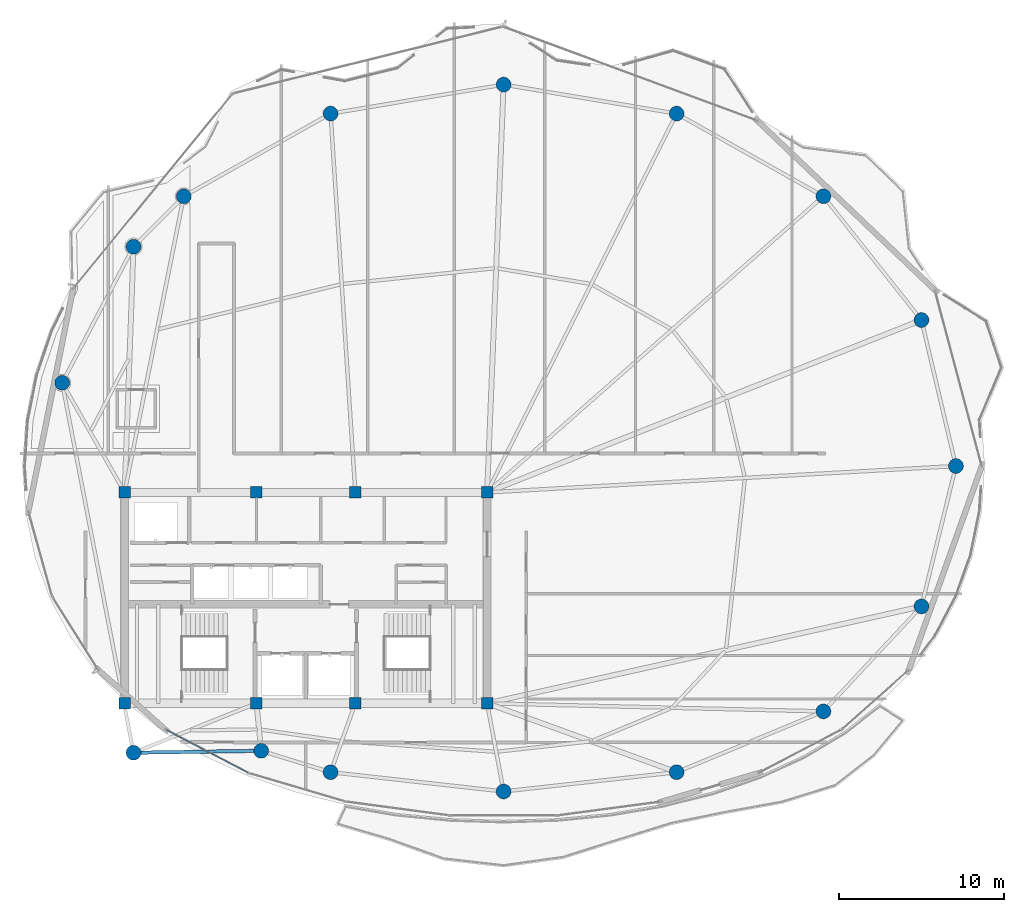
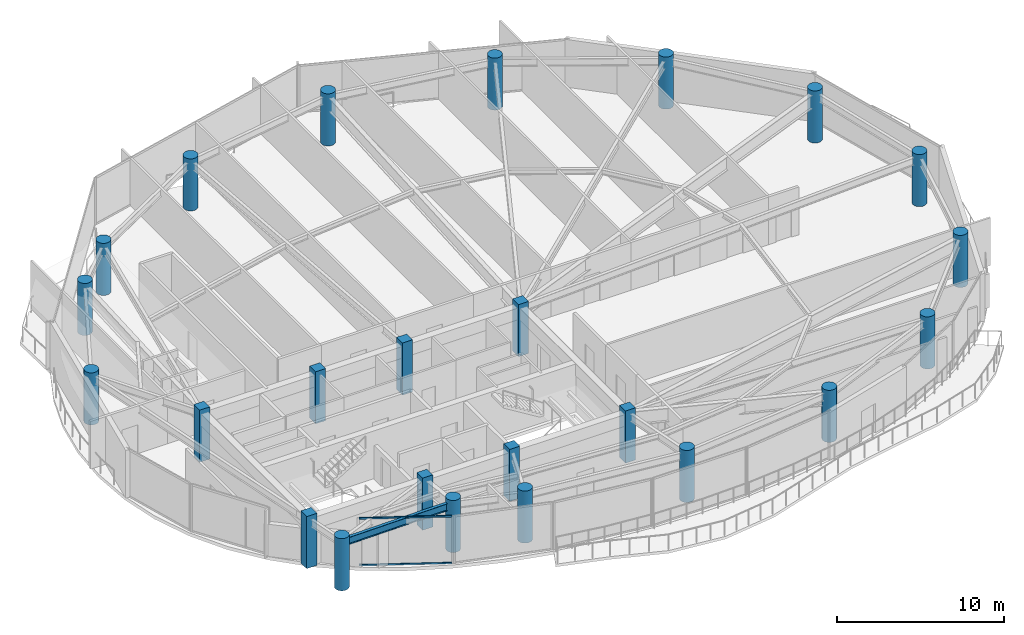
# One storey, part 1 of 29: 24 columns, 2 members, 1 beam, 1 element without a shape of its own.
"""IFC4 building model written with IfcOpenShell, lengths in metres."""

from ifc_helpers import new_model, si_unit, direction, frame, origin, origin_2d, place, context, subcontext, project, spatial, rectangle, hollow_rectangle, circle, i_section, extrude, material, layer, layer_set, material_profile, profile_set, type_object, element, aggregate, save


model = new_model("IFC4")

# Units and contexts
model_context = context("Model", 3, precision=1e-05, world=origin(), true_north=direction((0.0, 1.0)))
body_context = subcontext(model_context, "Body", "Model", "MODEL_VIEW")
ifc_project = project(units=[si_unit("LENGTHUNIT", "METRE"), si_unit("AREAUNIT", "SQUARE_METRE"), si_unit("VOLUMEUNIT", "CUBIC_METRE"), si_unit("PLANEANGLEUNIT", "RADIAN"), si_unit("MASSUNIT", "GRAM", prefix="KILO")], contexts=[model_context])

# Site, building, storey
site_placement = place(None, origin())
site = spatial("IfcSite", under=ifc_project, at=site_placement, CompositionType="ELEMENT")
building_placement = place(site_placement, origin())
building = spatial("IfcBuilding", under=site, at=building_placement, Name="Kazevale Care Tower and Concert Hall", CompositionType="ELEMENT")
storey_placement = place(building_placement, frame((0.0, 0.0, 289.0)))
storey = spatial("IfcBuildingStorey", under=building, at=storey_placement, Name="L76", CompositionType="ELEMENT", Elevation=289.0)

# Columns
ifc_material_1 = material(Name="Concrete C50", Category="concrete")
ifc_material_profile_1 = material_profile(ifc_material_1, rectangle(XDim=0.699951171875, YDim=0.699951171875, at=origin_2d()), Name="RC-SQ700")
ifc_profile_set_1 = profile_set([ifc_material_profile_1], Name="Concrete C50")
column_type_1 = type_object("IfcColumnType", Name="Core Column SQ700 C50", PredefinedType="COLUMN", material=ifc_profile_set_1)
for number, where, z_axis, x_axis, name in (
    (1, (22.0, 23.60009765625, 0.0), (0.0, 0.0, 1.0), (1.0, 0.0, 0.0), "col:L76:CC-01"),
    (2, (30.0, 23.60009765625, 0.0), (0.0, 0.0, 1.0), (1.0, 0.0, 0.0), "col:L76:CC-02"),
    (3, (36.0, 23.60009765625, 0.0), (0.0, 0.0, 1.0), (1.0, 0.0, 0.0), "col:L76:CC-03"),
    (4, (44.0, 23.60009765625, 0.0), (0.0, 0.0, 1.0), (1.0, 0.0, 0.0), "col:L76:CC-04"),
    (5, (44.0, 36.39990234375, 0.0), (0.0, 0.0, 1.0), (1.0, 0.0, 0.0), "col:L76:CC-05"),
    (6, (36.0, 36.39990234375, 0.0), (0.0, 0.0, 1.0), (1.0, 0.0, 0.0), "col:L76:CC-06"),
    (7, (30.0, 36.39990234375, 0.0), (0.0, 0.0, 1.0), (1.0, 0.0, 0.0), "col:L76:CC-07"),
    (8, (22.0, 36.39990234375, 0.0), (0.0, 0.0, 1.0), (1.0, 0.0, 0.0), "col:L76:CC-08"),
):
    element("IfcColumn", number, at=place(storey_placement, frame(where, z_axis=z_axis, x_axis=x_axis)), inside=storey, type_object=column_type_1, Name=name, PredefinedType="COLUMN", context=body_context, shape_type="SweptSolid", body=[
        extrude(rectangle(XDim=0.699951171875, YDim=0.699951171875, at=origin_2d()), origin(), (0.0, 0.0, 1.0), 3.800048828125),
    ])
ifc_material_profile_2 = material_profile(ifc_material_1, circle(Radius=0.449951171875, at=origin_2d()), Name="RC-CIR900")
ifc_profile_set_2 = profile_set([ifc_material_profile_2], Name="Concrete C50")
column_type_2 = type_object("IfcColumnType", Name="Perimeter Column CIR900 C50", PredefinedType="COLUMN", material=ifc_profile_set_2)
for number, where, z_axis, x_axis, name in (
    (9, (72.449951171875, 38.0, 0.0), (0.0, 0.0, 1.0), (1.0, 0.0, 0.0), "col:L76:PC-01"),
    (10, (70.360107421875, 46.860107421875, 0.0), (0.0, 0.0, 1.0), (1.0, 0.0, 0.0), "col:L76:PC-02"),
    (11, (64.409912109375, 54.3701171875, 0.0), (0.0, 0.0, 1.0), (1.0, 0.0, 0.0), "col:L76:PC-03"),
    (12, (55.5, 59.389892578125, 0.0), (0.0, 0.0, 1.0), (1.0, 0.0, 0.0), "col:L76:PC-04"),
    (13, (45.0, 61.14990234375, 0.0), (0.0, 0.0, 1.0), (1.0, 0.0, 0.0), "col:L76:PC-05"),
    (14, (34.5, 59.389892578125, 0.0), (0.0, 0.0, 1.0), (1.0, 0.0, 0.0), "col:L76:PC-06"),
    (15, (25.590087890625, 54.3701171875, 0.0), (0.0, 0.0, 1.0), (1.0, 0.0, 0.0), "col:L76:PC-07"),
    (16, (22.5400390625, 51.31005859375, 0.0), (0.0, 0.0, 1.0), (1.0, 0.0, 0.0), "col:L76:PC-08"),
    (17, (18.2099609375, 43.050048828125, 0.0), (0.0, 0.0, 1.0), (1.0, 0.0, 0.0), "col:L76:PC-09"),
    (18, (22.5400390625, 20.60009765625, 0.0), (0.0, 0.0, 1.0), (1.0, 0.0, 0.0), "col:L76:PC-10"),
    (19, (30.2900390625, 20.719970703125, 0.0), (0.0, 0.0, 1.0), (1.0, 0.0, 0.0), "col:L76:PC-11"),
    (20, (34.5, 19.419921875, 0.0), (0.0, 0.0, 1.0), (1.0, 0.0, 0.0), "col:L76:PC-12"),
    (21, (45.0, 18.25, 0.0), (0.0, 0.0, 1.0), (1.0, 0.0, 0.0), "col:L76:PC-13"),
    (22, (55.5, 19.419921875, 0.0), (0.0, 0.0, 1.0), (1.0, 0.0, 0.0), "col:L76:PC-14"),
    (23, (64.409912109375, 23.110107421875, 0.0), (0.0, 0.0, 1.0), (1.0, 0.0, 0.0), "col:L76:PC-15"),
    (24, (70.360107421875, 29.47998046875, 0.0), (0.0, 0.0, 1.0), (1.0, 0.0, 0.0), "col:L76:PC-16"),
):
    element("IfcColumn", number, at=place(storey_placement, frame(where, z_axis=z_axis, x_axis=x_axis)), inside=storey, type_object=column_type_2, Name=name, PredefinedType="COLUMN", context=body_context, shape_type="SweptSolid", body=[
        extrude(circle(Radius=0.449951171875, at=origin_2d()), origin(), (0.0, 0.0, 1.0), 3.800048828125),
    ])

# Curtain wall, members
ifc_material_2 = material(Name="Aluminium 6063-T6 and Low-E Glass", Category="aluminium")
ifc_layer = layer(ifc_material_2, 0.179931640625)
ifc_layer_set = layer_set([ifc_layer], Name="Aluminium 6063-T6 and Low-E Glass")
curtain_wall_type = type_object("IfcCurtainWallType", Name="Sheltered Concave Balcony Curtain Wall CW-5", PredefinedType="NOTDEFINED", material=ifc_layer_set)
curtain_wall_placement = place(storey_placement, origin())
curtain_wall = element("IfcCurtainWall", 25, at=curtain_wall_placement, inside=storey, type_object=curtain_wall_type, Name="cw:L76:f09", PredefinedType="NOTDEFINED")
ifc_material_3 = material(Name="Aluminium 6063-T6", Category="aluminium")
ifc_material_profile_3 = material_profile(ifc_material_3, hollow_rectangle(XDim=0.074951171875, YDim=0.1201171875, WallThickness=0.00390625, at=origin_2d()), Name="ALU75x120x4")
ifc_profile_set_3 = profile_set([ifc_material_profile_3], Name="Aluminium 6063-T6")
member_type = type_object("IfcMemberType", Name="CW-5 Transom ALU75x120x4", PredefinedType="USERDEFINED", material=ifc_profile_set_3)
member_1_placement = place(storey_placement, frame((29.464599609375, 19.399658203125, 0.03759765625), z_axis=(-0.885987336027, 0.463709435314, 0.0), x_axis=(-0.463709435314, -0.885987336027, 0.0)))
member_1 = element("IfcMember", 26, at=member_1_placement, type_object=member_type, Name="CW-5 transom 1.1", ObjectType="TRANSOM", PredefinedType="USERDEFINED", context=body_context, shape_type="SweptSolid", body=[
    extrude(hollow_rectangle(XDim=0.074951171875, YDim=0.1201171875, WallThickness=0.00390625, at=origin_2d()), origin(), (0.0, 0.0, 1.0), 5.580322265625),
])
member_2_placement = place(storey_placement, frame((29.464599609375, 19.399658203125, 3.4423828125), z_axis=(-0.885987336027, 0.463709435314, 0.0), x_axis=(-0.463709435314, -0.885987336027, 0.0)))
member_2 = element("IfcMember", 27, at=member_2_placement, type_object=member_type, Name="CW-5 transom 1.2", ObjectType="TRANSOM", PredefinedType="USERDEFINED", context=body_context, shape_type="SweptSolid", body=[
    extrude(hollow_rectangle(XDim=0.074951171875, YDim=0.1201171875, WallThickness=0.00390625, at=origin_2d()), origin(), (0.0, 0.0, 1.0), 5.580322265625),
])
aggregate(curtain_wall, [member_1, member_2])

# Beam
ifc_material_4 = material(Name="Steel ASTM A572 Gr 50", Category="steel")
ifc_material_profile_4 = material_profile(ifc_material_4, i_section(OverallWidth=0.208984375, OverallDepth=0.532958984375, WebThickness=0.01025390625, FlangeThickness=0.015625, at=origin_2d()), Name="W530x92")
ifc_profile_set_4 = profile_set([ifc_material_profile_4], Name="Steel ASTM A572 Gr 50")
beam_type = type_object("IfcBeamType", Name="Upper Ring Beam W530x92", PredefinedType="BEAM", material=ifc_profile_set_4)
beam_placement = place(storey_placement, frame((22.5400390625, 20.60009765625, 3.21337890625), z_axis=(0.999880399838, 0.015465640005, 0.0), x_axis=(-0.015465640005, 0.999880399838, 0.0)))
element("IfcBeam", 28, at=beam_placement, inside=storey, type_object=beam_type, Name="beam:L76:ring:10", PredefinedType="BEAM", context=body_context, shape_type="SweptSolid", body=[
    extrude(i_section(OverallWidth=0.208984375, OverallDepth=0.532958984375, WebThickness=0.01025390625, FlangeThickness=0.015625, at=origin_2d()), origin(), (0.0, 0.0, 1.0), 7.7509765625),
])

save(model, "model.ifc")
